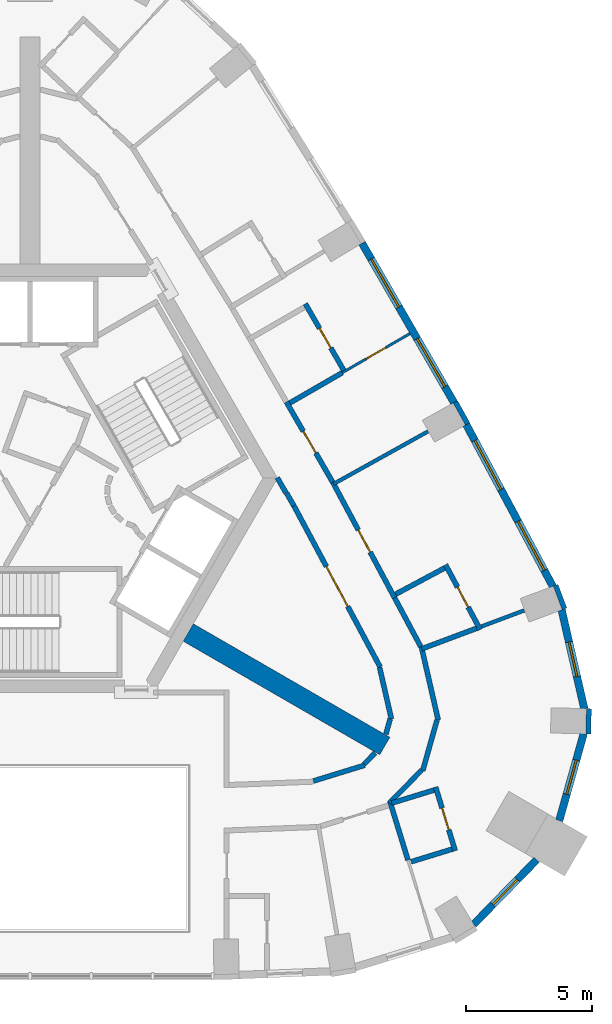
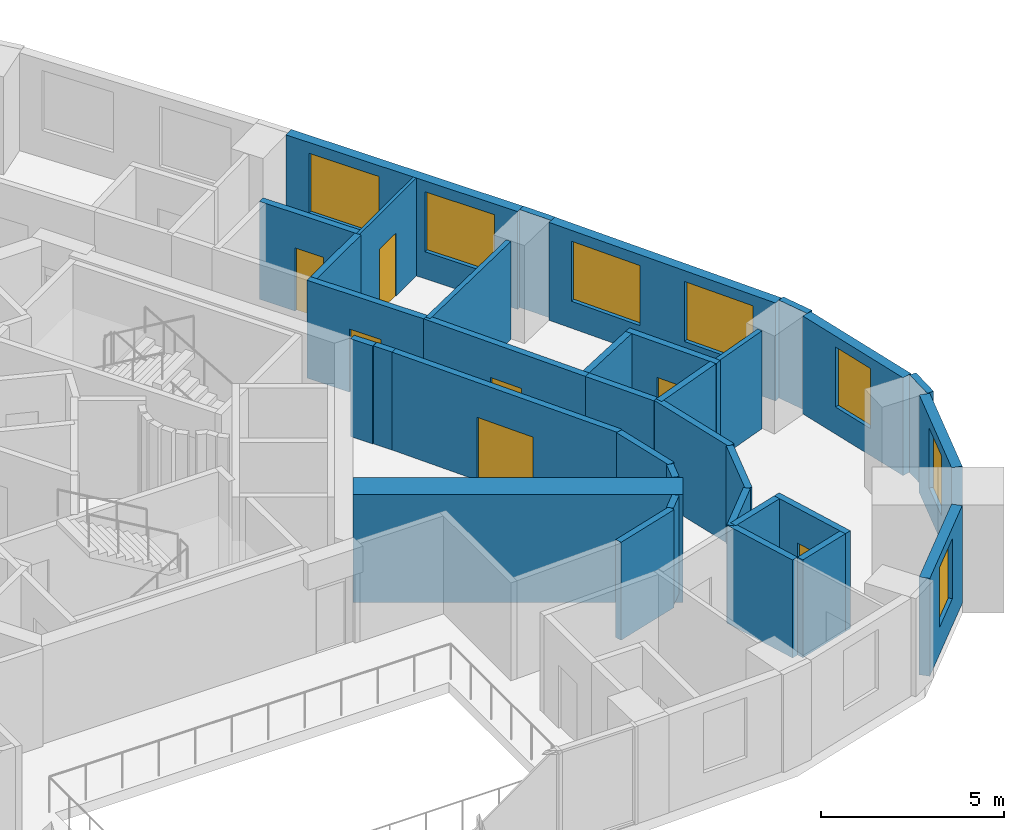
# One storey, part 6 of 9: 34 walls, 7 doors, 7 windows, 14 openings.
"""IFC4 building model written with IfcOpenShell, lengths in metres."""

from ifc_helpers import new_model, si_unit, direction, frame, frame_2d, origin, place, context, subcontext, project, spatial, rectangle, extrude, material, layer, layer_set, type_object, element, fill, save


model = new_model("IFC4")

# Units and contexts
model_context = context("Model", 3, precision=1e-05, world=origin(), true_north=direction((0.0, 1.0)))
body_context = subcontext(model_context, "Body", "Model", "MODEL_VIEW")
ifc_project = project(units=[si_unit("LENGTHUNIT", "METRE"), si_unit("AREAUNIT", "SQUARE_METRE"), si_unit("VOLUMEUNIT", "CUBIC_METRE"), si_unit("PLANEANGLEUNIT", "RADIAN"), si_unit("MASSUNIT", "GRAM", prefix="KILO")], contexts=[model_context])

# Site, building, storey
site_placement = place(None, origin())
site = spatial("IfcSite", under=ifc_project, at=site_placement, CompositionType="ELEMENT")
building_placement = place(site_placement, origin())
building = spatial("IfcBuilding", under=site, at=building_placement, Name="Entoto Arch Interchange Tower", CompositionType="ELEMENT")
storey_placement = place(building_placement, frame((0.0, 0.0, 290.0)))
storey = spatial("IfcBuildingStorey", under=building, at=storey_placement, Name="L67", CompositionType="ELEMENT", Elevation=290.0)

# Wall
ifc_material_1 = material(Name="Concrete C40/50", Category="concrete")
ifc_layer_1 = layer(ifc_material_1, 0.800048828125)
ifc_layer_set_1 = layer_set([ifc_layer_1], Name="Concrete C40/50")
wall_type_1 = type_object("IfcWallType", Name="Buttress wall 800 C40/50", PredefinedType="SHEAR", material=ifc_layer_set_1)
wall_1_placement = place(storey_placement, frame((6.279052734375, -3.625, -0.340087890625), z_axis=(0.0, 0.0, 1.0), x_axis=(0.866017533419, -0.500013631625, 0.0)))
element("IfcWall", 1, at=wall_1_placement, inside=storey, type_object=wall_type_1, Name="Buttress wall SE L67", PredefinedType="SHEAR", context=body_context, shape_type="SweptSolid", body=[
    extrude(rectangle(XDim=8.999755859375, YDim=0.800048828125, at=frame_2d((4.5, 0.0))), origin(), (0.0, 0.0, 1.0), 3.60009765625),
])

# Wall, opening, door
ifc_material_2 = material(Name="Gypsum board partition on steel studs", Category="steel")
ifc_layer_2 = layer(ifc_material_2, 0.10009765625)
ifc_layer_set_2 = layer_set([ifc_layer_2], Name="Gypsum board partition on steel studs")
wall_type_2 = type_object("IfcWallType", Name="PARTITION 100", PredefinedType="PARTITIONING", material=ifc_layer_set_2)
wall_2_placement = place(storey_placement, frame((12.385009765625, 6.681884765625, 0.0), z_axis=(0.0, 0.0, 1.0), x_axis=(0.865970446821, 0.500095176175, 0.0)))
wall_2 = element("IfcWall", 2, at=wall_2_placement, inside=storey, type_object=wall_type_2, Name="wall:L67:p098", PredefinedType="PARTITIONING", context=body_context, shape_type="SweptSolid", body=[
    extrude(rectangle(XDim=3.099609375, YDim=0.10009765625, at=frame_2d((1.5498046875, 0.0))), origin(), (0.0, 0.0, 1.0), 3.260009765625),
])
opening_1_placement = place(wall_2_placement, frame((1.10009765625, 0.0, 0.0)))
opening_1 = element("IfcOpeningElement", 3, at=opening_1_placement, cuts=wall_2, Name="Opening L67-D09", PredefinedType="OPENING", context=body_context, shape_type="SweptSolid", body=[
    extrude(rectangle(XDim=0.89990234375, YDim=2.10009765625, at=frame_2d((0.449951171875, 1.050048828125))), frame((0.0, 0.06005859375, 0.0), z_axis=(0.0, -1.0, 0.0), x_axis=(1.0, 0.0, 0.0)), (0.0, 0.0, 1.0), 0.1201171875),
])
ifc_material_3 = material(Name="Timber door leaf in Steel S235 frame", Category="steel")
door_type_1 = type_object("IfcDoorType", Name="DOOR DS-09 900x2100", OperationType="SINGLE_SWING_LEFT", PredefinedType="DOOR", material=ifc_material_3)
door_1_placement = place(opening_1_placement, origin())
door_1 = element("IfcDoor", 4, at=door_1_placement, inside=storey, type_object=door_type_1, Name="door:L67:09", OperationType="SINGLE_SWING_RIGHT", OverallHeight=2.10009765625, OverallWidth=0.89990234375, PredefinedType="DOOR", context=body_context, shape_type="SweptSolid", body=[
    extrude(rectangle(XDim=0.89990234375, YDim=2.10009765625, at=frame_2d((0.449951171875, 1.050048828125))), frame((0.0, 0.02490234375, 0.0), z_axis=(0.0, -1.0, 0.0), x_axis=(1.0, 0.0, 0.0)), (0.0, 0.0, 1.0), 0.050048828125),
])
fill(opening_1, door_1)

# Walls
ifc_layer_3 = layer(ifc_material_2, 0.14990234375)
ifc_layer_set_3 = layer_set([ifc_layer_3], Name="Gypsum board partition on steel studs")
wall_type_3 = type_object("IfcWallType", Name="PARTITION 150", PredefinedType="PARTITIONING", material=ifc_layer_set_3)
wall_3_placement = place(storey_placement, frame((17.904052734375, -3.385009765625, 0.0), z_axis=(0.0, 0.0, 1.0), x_axis=(0.936401128709, 0.350931512054, 0.0)))
element("IfcWall", 5, at=wall_3_placement, inside=storey, type_object=wall_type_3, Name="wall:L67:p093", PredefinedType="PARTITIONING", context=body_context, shape_type="SweptSolid", body=[
    extrude(rectangle(XDim=1.812255859375, YDim=0.14990234375, at=frame_2d((0.90625, 0.0))), origin(), (0.0, 0.0, 1.0), 3.260009765625),
])
wall_4_placement = place(storey_placement, frame((12.044921875, 2.27197265625, 0.0), z_axis=(0.0, 0.0, 1.0), x_axis=(0.873982340973, 0.485957680943, 0.0)))
element("IfcWall", 6, at=wall_4_placement, inside=storey, type_object=wall_type_3, Name="wall:L67:p097", PredefinedType="PARTITIONING", context=body_context, shape_type="SweptSolid", body=[
    extrude(rectangle(XDim=4.2802734375, YDim=0.14990234375, at=frame_2d((2.14013671875, 0.0))), origin(), (0.0, 0.0, 1.0), 3.260009765625),
])
ifc_layer_4 = layer(ifc_material_2, 0.199951171875)
ifc_layer_set_4 = layer_set([ifc_layer_4], Name="Gypsum board partition on steel studs")
wall_type_4 = type_object("IfcWallType", Name="PARTITION 200", PredefinedType="PARTITIONING", material=ifc_layer_set_4)
wall_5_placement = place(storey_placement, frame((11.239013671875, -9.513916015625, 0.0), z_axis=(0.0, 0.0, 1.0), x_axis=(0.955838469047, 0.293892533234, 0.0)))
element("IfcWall", 7, at=wall_5_placement, inside=storey, type_object=wall_type_4, Name="wall:L67:p014", PredefinedType="PARTITIONING", context=body_context, shape_type="SweptSolid", body=[
    extrude(rectangle(XDim=2.1298828125, YDim=0.199951171875, at=frame_2d((1.06494140625, 0.0))), origin(), (0.0, 0.0, 1.0), 3.260009765625),
])
wall_6_placement = place(storey_placement, frame((13.25, -8.845947265625, 0.0), z_axis=(0.0, 0.0, 1.0), x_axis=(0.698333537371, 0.715772499181, 0.0)))
element("IfcWall", 8, at=wall_6_placement, inside=storey, type_object=wall_type_4, Name="wall:L67:p015", PredefinedType="PARTITIONING", context=body_context, shape_type="SweptSolid", body=[
    extrude(rectangle(XDim=0.6298828125, YDim=0.199951171875, at=frame_2d((0.31494140625, 0.0))), origin(), (0.0, 0.0, 1.0), 3.260009765625),
])
wall_7_placement = place(storey_placement, frame((14.114990234375, -7.658935546875, 0.0), z_axis=(0.0, 0.0, 1.0), x_axis=(0.270633612894, 0.96268242301, 0.0)))
element("IfcWall", 9, at=wall_7_placement, inside=storey, type_object=wall_type_4, Name="wall:L67:p016", PredefinedType="PARTITIONING", context=body_context, shape_type="SweptSolid", body=[
    extrude(rectangle(XDim=0.631591796875, YDim=0.199951171875, at=frame_2d((0.31591796875, 0.0))), origin(), (0.0, 0.0, 1.0), 3.260009765625),
])
wall_8_placement = place(storey_placement, frame((14.3349609375, -7.052001953125, 0.0), z_axis=(0.0, 0.0, 1.0), x_axis=(-0.22355315143, 0.974691740237, 0.0)))
element("IfcWall", 10, at=wall_8_placement, inside=storey, type_object=wall_type_4, Name="wall:L67:p017", PredefinedType="PARTITIONING", context=body_context, shape_type="SweptSolid", body=[
    extrude(rectangle(XDim=2.102294921875, YDim=0.199951171875, at=frame_2d((1.05126953125, 0.0))), origin(), (0.0, 0.0, 1.0), 3.260009765625),
])

# Wall, opening, door
wall_9_placement = place(storey_placement, frame((13.889892578125, -4.993896484375, 0.0), z_axis=(0.0, 0.0, 1.0), x_axis=(-0.471713767504, 0.881751734644, 0.0)))
wall_9 = element("IfcWall", 11, at=wall_9_placement, inside=storey, type_object=wall_type_4, Name="wall:L67:p018", PredefinedType="PARTITIONING", context=body_context, shape_type="SweptSolid", body=[
    extrude(rectangle(XDim=7.247802734375, YDim=0.199951171875, at=frame_2d((3.6240234375, 0.0))), origin(), (0.0, 0.0, 1.0), 3.260009765625),
])
opening_2_placement = place(wall_9_placement, frame((2.72412109375, 0.0, 0.0)))
opening_2 = element("IfcOpeningElement", 12, at=opening_2_placement, cuts=wall_9, Name="Opening L67-D28", PredefinedType="OPENING", context=body_context, shape_type="SweptSolid", body=[
    extrude(rectangle(XDim=1.800048828125, YDim=2.10009765625, at=frame_2d((0.89990234375, 1.050048828125))), frame((0.0, 0.10986328125, 0.0), z_axis=(0.0, -1.0, 0.0), x_axis=(1.0, 0.0, 0.0)), (0.0, 0.0, 1.0), 0.219970703125),
])
door_type_2 = type_object("IfcDoorType", Name="DOOR DD-18 1800x2100", OperationType="DOUBLE_DOOR_SINGLE_SWING", PredefinedType="DOOR", material=ifc_material_3)
door_2_placement = place(opening_2_placement, origin())
door_2 = element("IfcDoor", 13, at=door_2_placement, inside=storey, type_object=door_type_2, Name="door:L67:28", OperationType="DOUBLE_DOOR_SINGLE_SWING", OverallHeight=2.10009765625, OverallWidth=1.800048828125, PredefinedType="DOOR", context=body_context, shape_type="SweptSolid", body=[
    extrude(rectangle(XDim=1.800048828125, YDim=2.10009765625, at=frame_2d((0.89990234375, 1.050048828125))), frame((0.0, 0.02490234375, 0.0), z_axis=(0.0, -1.0, 0.0), x_axis=(1.0, 0.0, 0.0)), (0.0, 0.0, 1.0), 0.050048828125),
])
fill(opening_2, door_2)

# Walls
wall_10_placement = place(storey_placement, frame((10.470947265625, 1.39697265625, 0.0), z_axis=(0.0, 0.0, 1.0), x_axis=(-0.500069990121, 0.865984991198, 0.0)))
element("IfcWall", 14, at=wall_10_placement, inside=storey, type_object=wall_type_4, Name="wall:L67:p019", PredefinedType="PARTITIONING", context=body_context, shape_type="SweptSolid", body=[
    extrude(rectangle(XDim=0.587890625, YDim=0.199951171875, at=frame_2d((0.2939453125, 0.0))), origin(), (0.0, 0.0, 1.0), 3.260009765625),
])
wall_11_placement = place(storey_placement, frame((10.156982421875, 1.912109375, 0.0), z_axis=(0.0, 0.0, 1.0), x_axis=(-0.500482383858, 0.865746720148, 0.0)))
element("IfcWall", 15, at=wall_11_placement, inside=storey, type_object=wall_type_4, Name="wall:L67:p020", PredefinedType="PARTITIONING", context=body_context, shape_type="SweptSolid", body=[
    extrude(rectangle(XDim=0.695068359375, YDim=0.199951171875, at=frame_2d((0.34765625, 0.0))), origin(), (0.0, 0.0, 1.0), 3.260009765625),
])
wall_12_placement = place(storey_placement, frame((15.52099609375, -4.1708984375, 0.0), z_axis=(0.0, 0.0, 1.0), x_axis=(0.223416387785, -0.974723097946, 0.0)))
element("IfcWall", 16, at=wall_12_placement, inside=storey, type_object=wall_type_4, Name="wall:L67:p032", PredefinedType="PARTITIONING", context=body_context, shape_type="SweptSolid", body=[
    extrude(rectangle(XDim=3.0029296875, YDim=0.199951171875, at=frame_2d((1.50146484375, 0.0))), origin(), (0.0, 0.0, 1.0), 3.260009765625),
])
wall_13_placement = place(storey_placement, frame((16.14306640625, -7.095947265625, 0.0), z_axis=(0.0, 0.0, 1.0), x_axis=(-0.270688011946, -0.962667128445, 0.0)))
element("IfcWall", 17, at=wall_13_placement, inside=storey, type_object=wall_type_4, Name="wall:L67:p033", PredefinedType="PARTITIONING", context=body_context, shape_type="SweptSolid", body=[
    extrude(rectangle(XDim=2.087890625, YDim=0.199951171875, at=frame_2d((1.0439453125, 0.0))), origin(), (0.0, 0.0, 1.0), 3.260009765625),
])
wall_14_placement = place(storey_placement, frame((15.534912109375, -9.0810546875, 0.0), z_axis=(0.0, 0.0, 1.0), x_axis=(-0.698342132704, -0.715764113162, 0.0)))
element("IfcWall", 18, at=wall_14_placement, inside=storey, type_object=wall_type_4, Name="wall:L67:p034", PredefinedType="PARTITIONING", context=body_context, shape_type="SweptSolid", body=[
    extrude(rectangle(XDim=1.835693359375, YDim=0.199951171875, at=frame_2d((0.91796875, 0.0))), origin(), (0.0, 0.0, 1.0), 3.260009765625),
])

# Wall, opening, door
wall_15_placement = place(storey_placement, frame((12.009033203125, 2.337890625, 0.0), z_axis=(0.0, 0.0, 1.0), x_axis=(0.471771260231, -0.88172097515, 0.0)))
wall_15 = element("IfcWall", 19, at=wall_15_placement, inside=storey, type_object=wall_type_4, Name="wall:L67:p035", PredefinedType="PARTITIONING", context=body_context, shape_type="SweptSolid", body=[
    extrude(rectangle(XDim=5.193115234375, YDim=0.199951171875, at=frame_2d((2.5966796875, 0.0))), origin(), (0.0, 0.0, 1.0), 3.260009765625),
])
opening_3_placement = place(wall_15_placement, frame((2.14599609375, 0.0, 0.0)))
opening_3 = element("IfcOpeningElement", 20, at=opening_3_placement, cuts=wall_15, Name="Opening L67-D06", PredefinedType="OPENING", context=body_context, shape_type="SweptSolid", body=[
    extrude(rectangle(XDim=1.0, YDim=2.10009765625, at=frame_2d((0.5, 1.050048828125))), frame((0.0, 0.10986328125, 0.0), z_axis=(0.0, -1.0, 0.0), x_axis=(1.0, 0.0, 0.0)), (0.0, 0.0, 1.0), 0.219970703125),
])
ifc_material_4 = material(Name="Fire-rated Steel S235 door and frame", Category="steel")
door_type_3 = type_object("IfcDoorType", Name="DOOR FD-10 1000x2100", OperationType="SINGLE_SWING_LEFT", PredefinedType="DOOR", material=ifc_material_4)
door_3_placement = place(opening_3_placement, origin())
door_3 = element("IfcDoor", 21, at=door_3_placement, inside=storey, type_object=door_type_3, Name="door:L67:06", OperationType="SINGLE_SWING_LEFT", OverallHeight=2.10009765625, OverallWidth=1.0, PredefinedType="DOOR", context=body_context, shape_type="SweptSolid", body=[
    extrude(rectangle(XDim=1.0, YDim=2.10009765625, at=frame_2d((0.5, 1.050048828125))), frame((0.0, 0.02490234375, 0.0), z_axis=(0.0, -1.0, 0.0), x_axis=(1.0, 0.0, 0.0)), (0.0, 0.0, 1.0), 0.050048828125),
])
fill(opening_3, door_3)

# Wall
wall_16_placement = place(storey_placement, frame((14.458984375, -2.240966796875, 0.0), z_axis=(0.0, 0.0, 1.0), x_axis=(0.471648235011, -0.881786789656, 0.0)))
element("IfcWall", 22, at=wall_16_placement, inside=storey, type_object=wall_type_4, Name="wall:L67:p036", PredefinedType="PARTITIONING", context=body_context, shape_type="SweptSolid", body=[
    extrude(rectangle(XDim=2.198974609375, YDim=0.199951171875, at=frame_2d((1.099609375, 0.0))), origin(), (0.0, 0.0, 1.0), 3.260009765625),
])

# Wall, opening, door
wall_17_placement = place(storey_placement, frame((10.169921875, 5.51904296875, 0.0), z_axis=(0.0, 0.0, 1.0), x_axis=(0.499990860175, -0.866030680601, 0.0)))
wall_17 = element("IfcWall", 23, at=wall_17_placement, inside=storey, type_object=wall_type_4, Name="wall:L67:p037", PredefinedType="PARTITIONING", context=body_context, shape_type="SweptSolid", body=[
    extrude(rectangle(XDim=3.67431640625, YDim=0.199951171875, at=frame_2d((1.837158203125, 0.0))), origin(), (0.0, 0.0, 1.0), 3.260009765625),
])
opening_4_placement = place(wall_17_placement, frame((1.3369140625, 0.0, 0.0)))
opening_4 = element("IfcOpeningElement", 24, at=opening_4_placement, cuts=wall_17, Name="Opening L67-D08", PredefinedType="OPENING", context=body_context, shape_type="SweptSolid", body=[
    extrude(rectangle(XDim=1.0, YDim=2.10009765625, at=frame_2d((0.5, 1.050048828125))), frame((0.0, 0.10986328125, 0.0), z_axis=(0.0, -1.0, 0.0), x_axis=(1.0, 0.0, 0.0)), (0.0, 0.0, 1.0), 0.219970703125),
])
door_4_placement = place(opening_4_placement, origin())
door_4 = element("IfcDoor", 25, at=door_4_placement, inside=storey, type_object=door_type_3, Name="door:L67:08", OperationType="SINGLE_SWING_LEFT", OverallHeight=2.10009765625, OverallWidth=1.0, PredefinedType="DOOR", context=body_context, shape_type="SweptSolid", body=[
    extrude(rectangle(XDim=1.0, YDim=2.10009765625, at=frame_2d((0.5, 1.050048828125))), frame((0.0, 0.02490234375, 0.0), z_axis=(0.0, -1.0, 0.0), x_axis=(1.0, 0.0, 0.0)), (0.0, 0.0, 1.0), 0.050048828125),
])
fill(opening_4, door_4)

# Walls
wall_18_placement = place(storey_placement, frame((14.27197265625, -10.30810546875, 0.0), z_axis=(0.0, 0.0, 1.0), x_axis=(0.293868765171, -0.955845776711, 0.0)))
element("IfcWall", 26, at=wall_18_placement, inside=storey, type_object=wall_type_4, Name="wall:L67:p089", PredefinedType="PARTITIONING", context=body_context, shape_type="SweptSolid", body=[
    extrude(rectangle(XDim=2.449951171875, YDim=0.199951171875, at=frame_2d((1.22509765625, 0.0))), origin(), (0.0, 0.0, 1.0), 3.260009765625),
])
wall_19_placement = place(storey_placement, frame((15.116943359375, -12.716064453125, 0.0), z_axis=(0.0, 0.0, 1.0), x_axis=(0.955940341053, 0.293561006177, 0.0)))
element("IfcWall", 27, at=wall_19_placement, inside=storey, type_object=wall_type_4, Name="wall:L67:p090", PredefinedType="PARTITIONING", context=body_context, shape_type="SweptSolid", body=[
    extrude(rectangle(XDim=1.699951171875, YDim=0.199951171875, at=frame_2d((0.85009765625, 0.0))), origin(), (0.0, 0.0, 1.0), 3.260009765625),
])

# Wall, opening, door
wall_20_placement = place(storey_placement, frame((16.866943359375, -12.282958984375, 0.0), z_axis=(0.0, 0.0, 1.0), x_axis=(-0.29397579302, 0.955812865114, 0.0)))
wall_20 = element("IfcWall", 28, at=wall_20_placement, inside=storey, type_object=wall_type_4, Name="wall:L67:p091", PredefinedType="PARTITIONING", context=body_context, shape_type="SweptSolid", body=[
    extrude(rectangle(XDim=2.650146484375, YDim=0.199951171875, at=frame_2d((1.3251953125, 0.0))), origin(), (0.0, 0.0, 1.0), 3.260009765625),
])
opening_5_placement = place(wall_20_placement, frame((0.875, 0.0, 0.0)))
opening_5 = element("IfcOpeningElement", 29, at=opening_5_placement, cuts=wall_20, Name="Opening L67-D05", PredefinedType="OPENING", context=body_context, shape_type="SweptSolid", body=[
    extrude(rectangle(XDim=0.89990234375, YDim=2.10009765625, at=frame_2d((0.449951171875, 1.050048828125))), frame((0.0, 0.10986328125, 0.0), z_axis=(0.0, -1.0, 0.0), x_axis=(1.0, 0.0, 0.0)), (0.0, 0.0, 1.0), 0.219970703125),
])
door_5_placement = place(opening_5_placement, origin())
door_5 = element("IfcDoor", 30, at=door_5_placement, inside=storey, type_object=door_type_1, Name="door:L67:05", OperationType="SINGLE_SWING_LEFT", OverallHeight=2.10009765625, OverallWidth=0.89990234375, PredefinedType="DOOR", context=body_context, shape_type="SweptSolid", body=[
    extrude(rectangle(XDim=0.89990234375, YDim=2.10009765625, at=frame_2d((0.449951171875, 1.050048828125))), frame((0.0, 0.02490234375, 0.0), z_axis=(0.0, -1.0, 0.0), x_axis=(1.0, 0.0, 0.0)), (0.0, 0.0, 1.0), 0.050048828125),
])
fill(opening_5, door_5)

# Walls
wall_21_placement = place(storey_placement, frame((16.02197265625, -9.875, 0.0), z_axis=(0.0, 0.0, 1.0), x_axis=(-0.955908620472, -0.293664279932, 0.0)))
element("IfcWall", 31, at=wall_21_placement, inside=storey, type_object=wall_type_4, Name="wall:L67:p092", PredefinedType="PARTITIONING", context=body_context, shape_type="SweptSolid", body=[
    extrude(rectangle(XDim=1.75, YDim=0.199951171875, at=frame_2d((0.875, 0.0))), origin(), (0.0, 0.0, 1.0), 3.260009765625),
])
wall_22_placement = place(storey_placement, frame((15.5439453125, -4.26904296875, 0.0), z_axis=(0.0, 0.0, 1.0), x_axis=(0.936463142424, 0.350765994477, 0.0)))
element("IfcWall", 32, at=wall_22_placement, inside=storey, type_object=wall_type_4, Name="wall:L67:p094", PredefinedType="PARTITIONING", context=body_context, shape_type="SweptSolid", body=[
    extrude(rectangle(XDim=2.320556640625, YDim=0.199951171875, at=frame_2d((1.16015625, 0.0))), origin(), (0.0, 0.0, 1.0), 3.260009765625),
])

# Wall, opening, door
wall_23_placement = place(storey_placement, frame((17.85693359375, -3.508056640625, 0.0), z_axis=(0.0, 0.0, 1.0), x_axis=(-0.47112614664, 0.882065844454, 0.0)))
wall_23 = element("IfcWall", 33, at=wall_23_placement, inside=storey, type_object=wall_type_4, Name="wall:L67:p095", PredefinedType="PARTITIONING", context=body_context, shape_type="SweptSolid", body=[
    extrude(rectangle(XDim=2.920654296875, YDim=0.199951171875, at=frame_2d((1.46044921875, 0.0))), origin(), (0.0, 0.0, 1.0), 3.260009765625),
])
opening_6_placement = place(wall_23_placement, frame((1.010009765625, 0.0, 0.0)))
opening_6 = element("IfcOpeningElement", 34, at=opening_6_placement, cuts=wall_23, Name="Opening L67-D07", PredefinedType="OPENING", context=body_context, shape_type="SweptSolid", body=[
    extrude(rectangle(XDim=0.89990234375, YDim=2.10009765625, at=frame_2d((0.449951171875, 1.050048828125))), frame((0.0, 0.10986328125, 0.0), z_axis=(0.0, -1.0, 0.0), x_axis=(1.0, 0.0, 0.0)), (0.0, 0.0, 1.0), 0.219970703125),
])
door_6_placement = place(opening_6_placement, origin())
door_6 = element("IfcDoor", 35, at=door_6_placement, inside=storey, type_object=door_type_1, Name="door:L67:07", OperationType="SINGLE_SWING_RIGHT", OverallHeight=2.10009765625, OverallWidth=0.89990234375, PredefinedType="DOOR", context=body_context, shape_type="SweptSolid", body=[
    extrude(rectangle(XDim=0.89990234375, YDim=2.10009765625, at=frame_2d((0.449951171875, 1.050048828125))), frame((0.0, 0.02490234375, 0.0), z_axis=(0.0, -1.0, 0.0), x_axis=(1.0, 0.0, 0.0)), (0.0, 0.0, 1.0), 0.050048828125),
])
fill(opening_6, door_6)

# Walls
wall_24_placement = place(storey_placement, frame((16.43994140625, -1.06689453125, 0.0), z_axis=(0.0, 0.0, 1.0), x_axis=(-0.881700916894, -0.471808746367, 0.0)))
element("IfcWall", 36, at=wall_24_placement, inside=storey, type_object=wall_type_4, Name="wall:L67:p096", PredefinedType="PARTITIONING", context=body_context, shape_type="SweptSolid", body=[
    extrude(rectangle(XDim=2.2001953125, YDim=0.199951171875, at=frame_2d((1.10009765625, 0.0))), origin(), (0.0, 0.0, 1.0), 3.260009765625),
])
wall_25_placement = place(storey_placement, frame((10.305908203125, 5.48193359375, 0.0), z_axis=(0.0, 0.0, 1.0), x_axis=(0.866100915363, 0.499869187296, 0.0)))
element("IfcWall", 37, at=wall_25_placement, inside=storey, type_object=wall_type_4, Name="wall:L67:p099", PredefinedType="PARTITIONING", context=body_context, shape_type="SweptSolid", body=[
    extrude(rectangle(XDim=2.400634765625, YDim=0.199951171875, at=frame_2d((1.2001953125, 0.0))), origin(), (0.0, 0.0, 1.0), 3.260009765625),
])

# Wall, opening, door
wall_26_placement = place(storey_placement, frame((12.49609375, 6.68896484375, 0.0), z_axis=(0.0, 0.0, 1.0), x_axis=(-0.500039995618, 0.866002311072, 0.0)))
wall_26 = element("IfcWall", 38, at=wall_26_placement, inside=storey, type_object=wall_type_4, Name="wall:L67:p100", PredefinedType="PARTITIONING", context=body_context, shape_type="SweptSolid", body=[
    extrude(rectangle(XDim=3.150146484375, YDim=0.199951171875, at=frame_2d((1.5751953125, 0.0))), origin(), (0.0, 0.0, 1.0), 3.260009765625),
])
opening_7_placement = place(wall_26_placement, frame((1.125, 0.0, 0.0)))
opening_7 = element("IfcOpeningElement", 39, at=opening_7_placement, cuts=wall_26, Name="Opening L67-D10", PredefinedType="OPENING", context=body_context, shape_type="SweptSolid", body=[
    extrude(rectangle(XDim=0.89990234375, YDim=2.10009765625, at=frame_2d((0.449951171875, 1.050048828125))), frame((0.0, 0.10986328125, 0.0), z_axis=(0.0, -1.0, 0.0), x_axis=(1.0, 0.0, 0.0)), (0.0, 0.0, 1.0), 0.219970703125),
])
door_7_placement = place(opening_7_placement, origin())
door_7 = element("IfcDoor", 40, at=door_7_placement, inside=storey, type_object=door_type_1, Name="door:L67:10", OperationType="SINGLE_SWING_RIGHT", OverallHeight=2.10009765625, OverallWidth=0.89990234375, PredefinedType="DOOR", context=body_context, shape_type="SweptSolid", body=[
    extrude(rectangle(XDim=0.89990234375, YDim=2.10009765625, at=frame_2d((0.449951171875, 1.050048828125))), frame((0.0, 0.02490234375, 0.0), z_axis=(0.0, -1.0, 0.0), x_axis=(1.0, 0.0, 0.0)), (0.0, 0.0, 1.0), 0.050048828125),
])
fill(opening_7, door_7)

# Wall, opening, window
ifc_material_5 = material(Name="Welded tuff (ignimbrite) cladding, warm buff", Category="masonry")
ifc_layer_5 = layer(ifc_material_5, 0.300048828125)
ifc_layer_set_5 = layer_set([ifc_layer_5], Name="Welded tuff (ignimbrite) cladding, warm buff")
wall_type_5 = type_object("IfcWallType", Name="STONE INFILL WALL 300", PredefinedType="STANDARD", material=ifc_layer_set_5)
wall_27_placement = place(storey_placement, frame((17.597900390625, -15.199951171875, 0.0), z_axis=(0.0, 0.0, 1.0), x_axis=(0.698555868355, 0.715555517614, 0.0)))
wall_27 = element("IfcWall", 41, at=wall_27_placement, inside=storey, type_object=wall_type_5, Name="Facade wall SE-02 L67", PredefinedType="STANDARD", context=body_context, shape_type="SweptSolid", body=[
    extrude(rectangle(XDim=3.575927734375, YDim=0.300048828125, at=frame_2d((1.7880859375, 0.0))), origin(), (0.0, 0.0, 1.0), 3.260009765625),
])
opening_8_placement = place(wall_27_placement, frame((1.087890625, 0.0, 0.89990234375)))
opening_8 = element("IfcOpeningElement", 42, at=opening_8_placement, cuts=wall_27, Name="Opening WH-B", PredefinedType="OPENING", context=body_context, shape_type="SweptSolid", body=[
    extrude(rectangle(XDim=1.39990234375, YDim=2.0, at=frame_2d((0.699951171875, 1.0))), frame((0.0, 0.16015625, 0.0), z_axis=(0.0, -1.0, 0.0), x_axis=(1.0, 0.0, 0.0)), (0.0, 0.0, 1.0), 0.320068359375),
])
ifc_material_6 = material(Name="Clear glass, low-e double glazed", Category="glass")
window_type_1 = type_object("IfcWindowType", Name="WINDOW WH-B 1400x2000", PartitioningType="DOUBLE_PANEL_VERTICAL", PredefinedType="WINDOW", material=ifc_material_6)
window_1_placement = place(opening_8_placement, origin())
window_1 = element("IfcWindow", 43, at=window_1_placement, inside=storey, type_object=window_type_1, Name="Window WH-B SE-02 L67", OverallHeight=2.0, OverallWidth=1.39990234375, PartitioningType="SINGLE_PANEL", PredefinedType="WINDOW", context=body_context, shape_type="SweptSolid", body=[
    extrude(rectangle(XDim=1.39990234375, YDim=2.0, at=frame_2d((0.699951171875, 1.0))), frame((0.0, 0.030029296875, 0.0), z_axis=(0.0, -1.0, 0.0), x_axis=(1.0, 0.0, 0.0)), (0.0, 0.0, 1.0), 0.06005859375),
])
fill(opening_8, window_1)

wall_28_placement = place(storey_placement, frame((20.9951171875, -11.0830078125, 0.0), z_axis=(0.0, 0.0, 1.0), x_axis=(0.270589405397, 0.962694849725, 0.0)))
wall_28 = element("IfcWall", 44, at=wall_28_placement, inside=storey, type_object=wall_type_5, Name="Facade wall SE-03 L67", PredefinedType="STANDARD", context=body_context, shape_type="SweptSolid", body=[
    extrude(rectangle(XDim=3.57666015625, YDim=0.300048828125, at=frame_2d((1.788330078125, 0.0))), origin(), (0.0, 0.0, 1.0), 3.260009765625),
])
opening_9_placement = place(wall_28_placement, frame((1.087890625, 0.0, 0.89990234375)))
opening_9 = element("IfcOpeningElement", 45, at=opening_9_placement, cuts=wall_28, Name="Opening WH-B", PredefinedType="OPENING", context=body_context, shape_type="SweptSolid", body=[
    extrude(rectangle(XDim=1.39990234375, YDim=2.0, at=frame_2d((0.699951171875, 1.0))), frame((0.0, 0.16015625, 0.0), z_axis=(0.0, -1.0, 0.0), x_axis=(1.0, 0.0, 0.0)), (0.0, 0.0, 1.0), 0.320068359375),
])
window_2_placement = place(opening_9_placement, origin())
window_2 = element("IfcWindow", 46, at=window_2_placement, inside=storey, type_object=window_type_1, Name="Window WH-B SE-03 L67", OverallHeight=2.0, OverallWidth=1.39990234375, PartitioningType="SINGLE_PANEL", PredefinedType="WINDOW", context=body_context, shape_type="SweptSolid", body=[
    extrude(rectangle(XDim=1.39990234375, YDim=2.0, at=frame_2d((0.699951171875, 1.0))), frame((0.0, 0.030029296875, 0.0), z_axis=(0.0, -1.0, 0.0), x_axis=(1.0, 0.0, 0.0)), (0.0, 0.0, 1.0), 0.06005859375),
])
fill(opening_9, window_2)

wall_29_placement = place(storey_placement, frame((21.987060546875, -6.64208984375, 0.0), z_axis=(0.0, 0.0, 1.0), x_axis=(-0.223448307338, 0.974715781112, 0.0)))
wall_29 = element("IfcWall", 47, at=wall_29_placement, inside=storey, type_object=wall_type_5, Name="Facade wall SE-04 L67", PredefinedType="STANDARD", context=body_context, shape_type="SweptSolid", body=[
    extrude(rectangle(XDim=4.0185546875, YDim=0.300048828125, at=frame_2d((2.00927734375, 0.0))), origin(), (0.0, 0.0, 1.0), 3.260009765625),
])
opening_10_placement = place(wall_29_placement, frame((1.30908203125, 0.0, 0.89990234375)))
opening_10 = element("IfcOpeningElement", 48, at=opening_10_placement, cuts=wall_29, Name="Opening WH-B", PredefinedType="OPENING", context=body_context, shape_type="SweptSolid", body=[
    extrude(rectangle(XDim=1.39990234375, YDim=2.0, at=frame_2d((0.699951171875, 1.0))), frame((0.0, 0.16015625, 0.0), z_axis=(0.0, -1.0, 0.0), x_axis=(1.0, 0.0, 0.0)), (0.0, 0.0, 1.0), 0.320068359375),
])
window_3_placement = place(opening_10_placement, origin())
window_3 = element("IfcWindow", 49, at=window_3_placement, inside=storey, type_object=window_type_1, Name="Window WH-B SE-04 L67", OverallHeight=2.0, OverallWidth=1.39990234375, PartitioningType="SINGLE_PANEL", PredefinedType="WINDOW", context=body_context, shape_type="SweptSolid", body=[
    extrude(rectangle(XDim=1.39990234375, YDim=2.0, at=frame_2d((0.699951171875, 1.0))), frame((0.0, 0.030029296875, 0.0), z_axis=(0.0, -1.0, 0.0), x_axis=(1.0, 0.0, 0.0)), (0.0, 0.0, 1.0), 0.06005859375),
])
fill(opening_10, window_3)

# Wall, openings, windows
wall_30_placement = place(storey_placement, frame((20.739013671875, -1.7900390625, 0.0), z_axis=(0.0, 0.0, 1.0), x_axis=(-0.471789353675, 0.881711293882, 0.0)))
wall_30 = element("IfcWall", 50, at=wall_30_placement, inside=storey, type_object=wall_type_5, Name="Facade wall NE-01 L67", PredefinedType="STANDARD", context=body_context, shape_type="SweptSolid", body=[
    extrude(rectangle(XDim=7.27685546875, YDim=0.300048828125, at=frame_2d((3.638427734375, 0.0))), origin(), (0.0, 0.0, 1.0), 3.260009765625),
])
opening_11_placement = place(wall_30_placement, frame((0.718994140625, 0.0, 0.89990234375)))
opening_11 = element("IfcOpeningElement", 51, at=opening_11_placement, cuts=wall_30, Name="Opening WH-A", PredefinedType="OPENING", context=body_context, shape_type="SweptSolid", body=[
    extrude(rectangle(XDim=2.199951171875, YDim=2.0, at=frame_2d((1.10009765625, 1.0))), frame((0.0, 0.16015625, 0.0), z_axis=(0.0, -1.0, 0.0), x_axis=(1.0, 0.0, 0.0)), (0.0, 0.0, 1.0), 0.320068359375),
])
opening_12_placement = place(wall_30_placement, frame((4.35791015625, 0.0, 0.89990234375)))
opening_12 = element("IfcOpeningElement", 52, at=opening_12_placement, cuts=wall_30, Name="Opening WH-A", PredefinedType="OPENING", context=body_context, shape_type="SweptSolid", body=[
    extrude(rectangle(XDim=2.199951171875, YDim=2.0, at=frame_2d((1.10009765625, 1.0))), frame((0.0, 0.16015625, 0.0), z_axis=(0.0, -1.0, 0.0), x_axis=(1.0, 0.0, 0.0)), (0.0, 0.0, 1.0), 0.320068359375),
])
window_type_2 = type_object("IfcWindowType", Name="WINDOW WH-A 2200x2000", PartitioningType="DOUBLE_PANEL_VERTICAL", PredefinedType="WINDOW", material=ifc_material_6)
window_4_placement = place(opening_11_placement, origin())
window_4 = element("IfcWindow", 53, at=window_4_placement, inside=storey, type_object=window_type_2, Name="Window WH-A NE-01 L67", OverallHeight=2.0, OverallWidth=2.199951171875, PartitioningType="SINGLE_PANEL", PredefinedType="WINDOW", context=body_context, shape_type="SweptSolid", body=[
    extrude(rectangle(XDim=2.199951171875, YDim=2.0, at=frame_2d((1.10009765625, 1.0))), frame((0.0, 0.030029296875, 0.0), z_axis=(0.0, -1.0, 0.0), x_axis=(1.0, 0.0, 0.0)), (0.0, 0.0, 1.0), 0.06005859375),
])
fill(opening_11, window_4)
window_5_placement = place(opening_12_placement, origin())
window_5 = element("IfcWindow", 54, at=window_5_placement, inside=storey, type_object=window_type_2, Name="Window WH-A NE-01 L67", OverallHeight=2.0, OverallWidth=2.199951171875, PartitioningType="SINGLE_PANEL", PredefinedType="WINDOW", context=body_context, shape_type="SweptSolid", body=[
    extrude(rectangle(XDim=2.199951171875, YDim=2.0, at=frame_2d((1.10009765625, 1.0))), frame((0.0, 0.030029296875, 0.0), z_axis=(0.0, -1.0, 0.0), x_axis=(1.0, 0.0, 0.0)), (0.0, 0.0, 1.0), 0.06005859375),
])
fill(opening_12, window_5)

wall_31_placement = place(storey_placement, frame((16.821044921875, 5.498046875, 0.0), z_axis=(0.0, 0.0, 1.0), x_axis=(-0.499945412946, 0.866056917341, 0.0)))
wall_31 = element("IfcWall", 55, at=wall_31_placement, inside=storey, type_object=wall_type_5, Name="Facade wall NE-02 L67", PredefinedType="STANDARD", context=body_context, shape_type="SweptSolid", body=[
    extrude(rectangle(XDim=7.298583984375, YDim=0.300048828125, at=frame_2d((3.6494140625, 0.0))), origin(), (0.0, 0.0, 1.0), 3.260009765625),
])
opening_13_placement = place(wall_31_placement, frame((0.72509765625, 0.0, 0.89990234375)))
opening_13 = element("IfcOpeningElement", 56, at=opening_13_placement, cuts=wall_31, Name="Opening WH-A", PredefinedType="OPENING", context=body_context, shape_type="SweptSolid", body=[
    extrude(rectangle(XDim=2.199951171875, YDim=2.0, at=frame_2d((1.10009765625, 1.0))), frame((0.0, 0.16015625, 0.0), z_axis=(0.0, -1.0, 0.0), x_axis=(1.0, 0.0, 0.0)), (0.0, 0.0, 1.0), 0.320068359375),
])
opening_14_placement = place(wall_31_placement, frame((4.3740234375, 0.0, 0.89990234375)))
opening_14 = element("IfcOpeningElement", 57, at=opening_14_placement, cuts=wall_31, Name="Opening WH-A", PredefinedType="OPENING", context=body_context, shape_type="SweptSolid", body=[
    extrude(rectangle(XDim=2.199951171875, YDim=2.0, at=frame_2d((1.10009765625, 1.0))), frame((0.0, 0.16015625, 0.0), z_axis=(0.0, -1.0, 0.0), x_axis=(1.0, 0.0, 0.0)), (0.0, 0.0, 1.0), 0.320068359375),
])
window_6_placement = place(opening_13_placement, origin())
window_6 = element("IfcWindow", 58, at=window_6_placement, inside=storey, type_object=window_type_2, Name="Window WH-A NE-02 L67", OverallHeight=2.0, OverallWidth=2.199951171875, PartitioningType="SINGLE_PANEL", PredefinedType="WINDOW", context=body_context, shape_type="SweptSolid", body=[
    extrude(rectangle(XDim=2.199951171875, YDim=2.0, at=frame_2d((1.10009765625, 1.0))), frame((0.0, 0.030029296875, 0.0), z_axis=(0.0, -1.0, 0.0), x_axis=(1.0, 0.0, 0.0)), (0.0, 0.0, 1.0), 0.06005859375),
])
fill(opening_13, window_6)
window_7_placement = place(opening_14_placement, origin())
window_7 = element("IfcWindow", 59, at=window_7_placement, inside=storey, type_object=window_type_2, Name="Window WH-A NE-02 L67", OverallHeight=2.0, OverallWidth=2.199951171875, PartitioningType="SINGLE_PANEL", PredefinedType="WINDOW", context=body_context, shape_type="SweptSolid", body=[
    extrude(rectangle(XDim=2.199951171875, YDim=2.0, at=frame_2d((1.10009765625, 1.0))), frame((0.0, 0.030029296875, 0.0), z_axis=(0.0, -1.0, 0.0), x_axis=(1.0, 0.0, 0.0)), (0.0, 0.0, 1.0), 0.06005859375),
])
fill(opening_14, window_7)

# Walls
ifc_layer_6 = layer(ifc_material_5, 0.199951171875)
ifc_layer_set_6 = layer_set([ifc_layer_6], Name="Welded tuff (ignimbrite) cladding, warm buff")
wall_type_6 = type_object("IfcWallType", Name="STONE PIER CLADDING 200", PredefinedType="STANDARD", material=ifc_layer_set_6)
wall_32_placement = place(storey_placement, frame((21.199951171875, -2.68408203125, 0.0), z_axis=(0.0, 0.0, 1.0), x_axis=(-0.350962844851, 0.936389385637, 0.0)))
element("IfcWall", 60, at=wall_32_placement, inside=storey, type_object=wall_type_6, Name="Stone pier NE01 L67", PredefinedType="STANDARD", context=body_context, shape_type="SweptSolid", body=[
    extrude(rectangle(XDim=0.99951171875, YDim=0.199951171875, at=frame_2d((0.499755859375, 0.0))), origin(), (0.0, 0.0, 1.0), 3.260009765625),
])
wall_33_placement = place(storey_placement, frame((17.35791015625, 4.653076171875, 0.0), z_axis=(0.0, 0.0, 1.0), x_axis=(-0.485850211157, 0.874042088414, 0.0)))
element("IfcWall", 61, at=wall_33_placement, inside=storey, type_object=wall_type_6, Name="Stone pier NE02 L67", PredefinedType="STANDARD", context=body_context, shape_type="SweptSolid", body=[
    extrude(rectangle(XDim=1.0, YDim=0.199951171875, at=frame_2d((0.5, 0.0))), origin(), (0.0, 0.0, 1.0), 3.260009765625),
])
wall_34_placement = place(storey_placement, frame((22.14501953125, -7.64501953125, 0.0), z_axis=(0.0, 0.0, 1.0), x_axis=(0.023942303888, 0.999713341956, 0.0)))
element("IfcWall", 62, at=wall_34_placement, inside=storey, type_object=wall_type_6, Name="Stone pier SE3 L67", PredefinedType="STANDARD", context=body_context, shape_type="SweptSolid", body=[
    extrude(rectangle(XDim=0.999267578125, YDim=0.199951171875, at=frame_2d((0.49951171875, 0.0))), origin(), (0.0, 0.0, 1.0), 3.260009765625),
])

save(model, "model.ifc")
